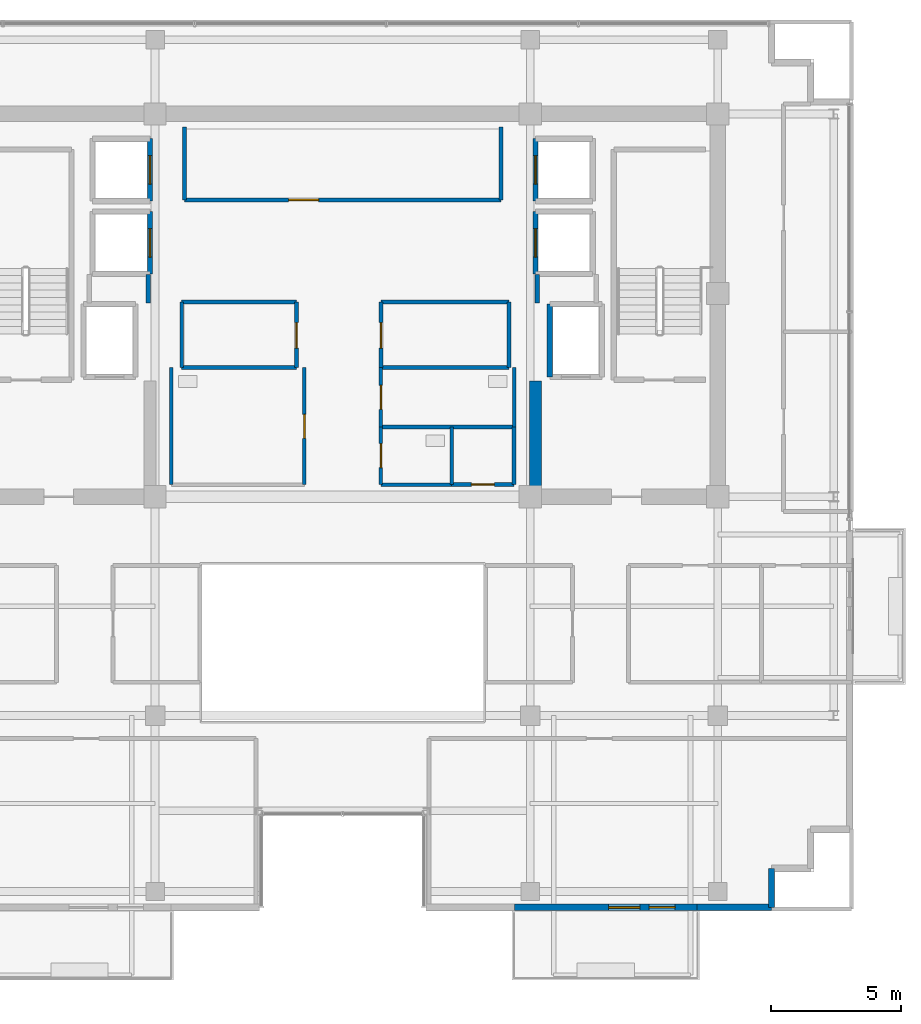
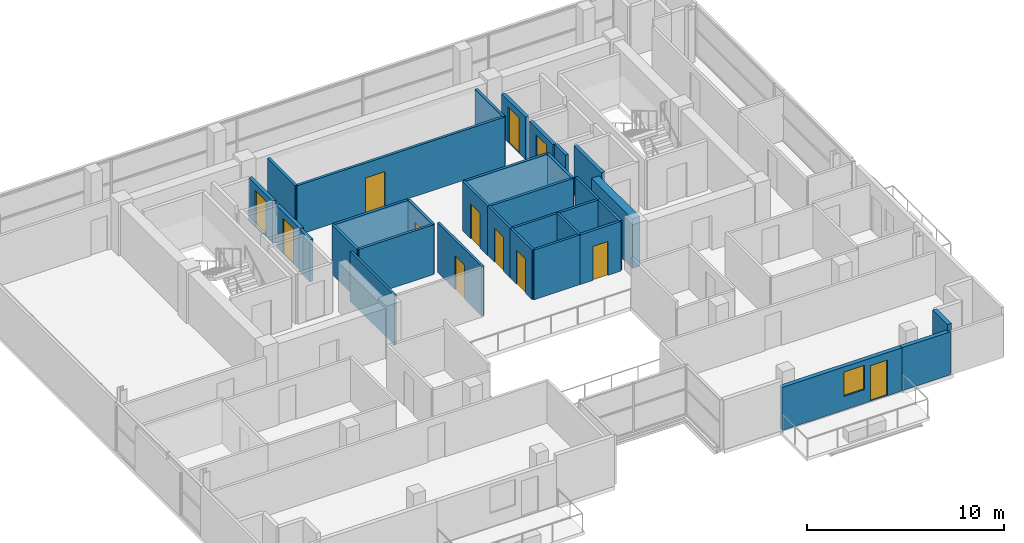
# One storey, part 17 of 23: 32 walls, 12 doors, 1 window, 13 openings.
"""IFC4 building model written with IfcOpenShell, lengths in metres."""

from ifc_helpers import new_model, si_unit, direction, frame, frame_2d, origin, place, context, subcontext, project, spatial, rectangle, extrude, source, transform, mapped, material, layer, layer_set, type_object, element, fill, save


model = new_model("IFC4")

# Units and contexts
model_context = context("Model", 3, precision=1e-05, world=origin(), true_north=direction((0.0, 1.0)))
body_context = subcontext(model_context, "Body", "Model", "MODEL_VIEW")
ifc_project = project(units=[si_unit("LENGTHUNIT", "METRE"), si_unit("AREAUNIT", "SQUARE_METRE"), si_unit("VOLUMEUNIT", "CUBIC_METRE"), si_unit("PLANEANGLEUNIT", "RADIAN"), si_unit("MASSUNIT", "GRAM", prefix="KILO")], contexts=[model_context])

# Site, building, storey
site_placement = place(None, origin())
site = spatial("IfcSite", under=ifc_project, at=site_placement, CompositionType="ELEMENT")
building_placement = place(site_placement, origin())
building = spatial("IfcBuilding", under=site, at=building_placement, Name="Zarnakvel Exchange Tower", CompositionType="ELEMENT")
storey_placement = place(building_placement, frame((0.0, 0.0, 212.199951171875)))
storey = spatial("IfcBuildingStorey", under=building, at=storey_placement, Name="L59", CompositionType="ELEMENT", Elevation=212.199951171875)

# Wall
ifc_material_1 = material(Name="Concrete C50/60", Category="concrete")
ifc_layer_1 = layer(ifc_material_1, 0.449951171875)
ifc_layer_set_1 = layer_set([ifc_layer_1], Name="Concrete C50/60")
wall_type_1 = type_object("IfcWallType", Name="CW-C6", PredefinedType="SHEAR", material=ifc_layer_set_1)
wall_1_placement = place(storey_placement, frame((7.39990234375, -0.89990234375, 0.0), z_axis=(0.0, 0.0, 1.0), x_axis=(0.0, 1.0, 0.0)))
element("IfcWall", 1, at=wall_1_placement, inside=storey, type_object=wall_type_1, Name="L59 Rear Core Shear Wall IE (CW-C6)", PredefinedType="SHEAR", context=body_context, shape_type="SweptSolid", body=[
    extrude(rectangle(XDim=4.14990234375, YDim=0.449951171875, at=frame_2d((2.074951171875, 0.0))), origin(), (0.0, 0.0, 1.0), 3.074951171875),
])

# Wall, openings, door, window
ifc_material_2 = material(Name="Precast concrete C40/50", Category="concrete")
ifc_layer_2 = layer(ifc_material_2, 0.239990234375)
ifc_layer_set_2 = layer_set([ifc_layer_2], Name="Precast concrete C40/50")
wall_type_2 = type_object("IfcWallType", Name="EW-02", PredefinedType="SOLIDWALL", material=ifc_layer_set_2)
wall_2_placement = place(storey_placement, frame((13.60009765625, -16.9599609375, 0.0), z_axis=(0.0, 0.0, 1.0), x_axis=(-1.0, 0.0, 0.0)))
wall_2 = element("IfcWall", 2, at=wall_2_placement, inside=storey, type_object=wall_type_2, Name="L59 Exterior Precast Spandrel Wall EW-BAL-L59-SE (EW-02)", PredefinedType="SOLIDWALL", context=body_context, shape_type="SweptSolid", body=[
    extrude(rectangle(XDim=7.0, YDim=0.239990234375, at=frame_2d((3.5, 0.0))), origin(), (0.0, 0.0, 1.0), 2.6650390625),
])
opening_1_placement = place(wall_2_placement, frame((0.840087890625, 0.0, 0.0)))
opening_1 = element("IfcOpeningElement", 3, at=opening_1_placement, cuts=wall_2, Name="Opening BD-L59-02", PredefinedType="OPENING", context=body_context, shape_type="SweptSolid", body=[
    extrude(rectangle(XDim=1.0, YDim=2.199951171875, at=frame_2d((0.5, 1.10009765625))), frame((0.0, 0.1298828125, 0.0), z_axis=(0.0, -1.0, 0.0), x_axis=(1.0, 0.0, 0.0)), (0.0, 0.0, 1.0), 0.260009765625),
])
opening_2_placement = place(wall_2_placement, frame((2.18994140625, 0.0, 0.85009765625)))
opening_2 = element("IfcOpeningElement", 4, at=opening_2_placement, cuts=wall_2, Name="Opening WN-04", PredefinedType="OPENING", context=body_context, shape_type="SweptSolid", body=[
    extrude(rectangle(XDim=1.199951171875, YDim=1.5, at=frame_2d((0.60009765625, 0.75))), frame((0.0, 0.1298828125, 0.0), z_axis=(0.0, -1.0, 0.0), x_axis=(1.0, 0.0, 0.0)), (0.0, 0.0, 1.0), 0.260009765625),
])
ifc_material_3 = material(Name="Architectural Bronze Anodised Aluminium", Category="aluminium")
door_type_1 = type_object("IfcDoorType", Name="DT-09", OperationType="NOTDEFINED", PredefinedType="DOOR", material=ifc_material_3)
shared_shape_1 = source(origin(), body_context, "Body", "SweptSolid", [
    extrude(rectangle(XDim=1.0, YDim=2.199951171875, at=frame_2d((0.5, 1.10009765625))), frame((0.0, 0.02490234375, 0.0), z_axis=(0.0, -1.0, 0.0), x_axis=(1.0, 0.0, 0.0)), (0.0, 0.0, 1.0), 0.050048828125),
])
door_1_placement = place(opening_1_placement, origin())
door_1 = element("IfcDoor", 5, at=door_1_placement, inside=storey, type_object=door_type_1, Name="L59 Planted Loggia Balcony Door BD-L59-02", OperationType="SINGLE_SWING_RIGHT", OverallHeight=2.199951171875, OverallWidth=1.0, PredefinedType="DOOR", context=body_context, shape_type="MappedRepresentation", body=[
    mapped(shared_shape_1, transform((0.0, 0.0, 0.0), x_axis=(1.0, 0.0, 0.0), y_axis=(0.0, 1.0, 0.0), z_axis=(0.0, 0.0, 1.0), scale=1.0)),
])
fill(opening_1, door_1)
ifc_material_4 = material(Name="Double Low-E Laminated Vision Glass", Category="glass")
window_type = type_object("IfcWindowType", Name="WN-04", PartitioningType="SINGLE_PANEL", PredefinedType="WINDOW", material=ifc_material_4)
shared_shape_2 = source(origin(), body_context, "Body", "SweptSolid", [
    extrude(rectangle(XDim=1.199951171875, YDim=1.5, at=frame_2d((0.60009765625, 0.75))), frame((0.0, 0.030029296875, 0.0), z_axis=(0.0, -1.0, 0.0), x_axis=(1.0, 0.0, 0.0)), (0.0, 0.0, 1.0), 0.06005859375),
])
window_placement = place(opening_2_placement, origin())
window = element("IfcWindow", 6, at=window_placement, inside=storey, type_object=window_type, Name="L59 Loggia Daylight Window (WN-04)", OverallHeight=1.5, OverallWidth=1.199951171875, PartitioningType="SINGLE_PANEL", PredefinedType="WINDOW", context=body_context, shape_type="MappedRepresentation", body=[
    mapped(shared_shape_2, transform((0.0, 0.0, 0.0), x_axis=(1.0, 0.0, 0.0), y_axis=(0.0, 1.0, 0.0), z_axis=(0.0, 0.0, 1.0), scale=1.0)),
])
fill(opening_2, window)

# Walls
wall_3_placement = place(storey_placement, frame((16.4599609375, -16.9599609375, 0.0), z_axis=(0.0, 0.0, 1.0), x_axis=(0.0, 1.0, 0.0)))
element("IfcWall", 7, at=wall_3_placement, inside=storey, type_object=wall_type_2, Name="L59 Exterior Precast Spandrel Wall EWC-L59-14 (EW-02)", PredefinedType="SOLIDWALL", context=body_context, shape_type="SweptSolid", body=[
    extrude(rectangle(XDim=1.5, YDim=0.239990234375, at=frame_2d((0.75, 0.0))), origin(), (0.0, 0.0, 1.0), 3.074951171875),
])
wall_4_placement = place(storey_placement, frame((13.60009765625, -16.9599609375, 0.0), z_axis=(0.0, 0.0, 1.0), x_axis=(1.0, 0.0, 0.0)))
element("IfcWall", 8, at=wall_4_placement, inside=storey, type_object=wall_type_2, Name="L59 Exterior Precast Spandrel Wall EWC-L59-15 (EW-02)", PredefinedType="SOLIDWALL", context=body_context, shape_type="SweptSolid", body=[
    extrude(rectangle(XDim=2.85986328125, YDim=0.239990234375, at=frame_2d((1.429931640625, 0.0))), origin(), (0.0, 0.0, 1.0), 2.6650390625),
])

# Wall, opening, door
ifc_material_5 = material(Name="Fire-Rated Gypsum Stud Partition", Category="gypsum")
ifc_layer_3 = layer(ifc_material_5, 0.14990234375)
ifc_layer_set_3 = layer_set([ifc_layer_3], Name="Fire-Rated Gypsum Stud Partition")
wall_type_3 = type_object("IfcWallType", Name="PT-01", PredefinedType="PARTITIONING", material=ifc_layer_set_3)
wall_5_placement = place(storey_placement, frame((6.080078125, 10.199951171875, 0.0), z_axis=(0.0, 0.0, 1.0), x_axis=(-1.0, 0.0, 0.0)))
wall_5 = element("IfcWall", 9, at=wall_5_placement, inside=storey, type_object=wall_type_3, Name="L59 Partition Wall PWALL-L59-011 (PT-01)", PredefinedType="PARTITIONING", context=body_context, shape_type="SweptSolid", body=[
    extrude(rectangle(XDim=12.16015625, YDim=0.14990234375, at=frame_2d((6.080078125, 0.0))), origin(), (0.0, 0.0, 1.0), 3.074951171875),
])
opening_3_placement = place(wall_5_placement, frame((7.0048828125, 0.0, 0.0)))
opening_3 = element("IfcOpeningElement", 10, at=opening_3_placement, cuts=wall_5, Name="Opening D-L59-05", PredefinedType="OPENING", context=body_context, shape_type="SweptSolid", body=[
    extrude(rectangle(XDim=1.14990234375, YDim=2.14990234375, at=frame_2d((0.574951171875, 1.074951171875))), frame((0.0, 0.0849609375, 0.0), z_axis=(0.0, -1.0, 0.0), x_axis=(1.0, 0.0, 0.0)), (0.0, 0.0, 1.0), 0.169921875),
])
ifc_material_6 = material(Name="Painted Galvanised Steel S355", Category="steel")
door_type_2 = type_object("IfcDoorType", Name="DT-04", OperationType="NOTDEFINED", PredefinedType="DOOR", material=ifc_material_6)
shared_shape_3 = source(origin(), body_context, "Body", "SweptSolid", [
    extrude(rectangle(XDim=1.14990234375, YDim=2.14990234375, at=frame_2d((0.574951171875, 1.074951171875))), frame((0.0, 0.02490234375, 0.0), z_axis=(0.0, -1.0, 0.0), x_axis=(1.0, 0.0, 0.0)), (0.0, 0.0, 1.0), 0.050048828125),
])
door_2_placement = place(opening_3_placement, origin())
door_2 = element("IfcDoor", 11, at=door_2_placement, inside=storey, type_object=door_type_2, Name="L59 Market Data Archive Suite Door D-L59-05", OperationType="SINGLE_SWING_RIGHT", OverallHeight=2.14990234375, OverallWidth=1.14990234375, PredefinedType="DOOR", context=body_context, shape_type="MappedRepresentation", body=[
    mapped(shared_shape_3, transform((0.0, 0.0, 0.0), x_axis=(1.0, 0.0, 0.0), y_axis=(0.0, 1.0, 0.0), z_axis=(0.0, 0.0, 1.0), scale=1.0)),
])
fill(opening_3, door_2)

# Walls
for number, where, z_axis, x_axis, name in (
    (12, (-6.080078125, 10.199951171875, 0.0), (0.0, 0.0, 1.0), (0.0, 1.0, 0.0), "L59 Partition Wall PWALL-L59-012 (PT-01)"),
    (13, (6.080078125, 13.0, 0.0), (0.0, 0.0, 1.0), (0.0, -1.0, 0.0), "L59 Partition Wall PWALL-L59-013 (PT-01)"),
):
    element("IfcWall", number, at=place(storey_placement, frame(where, z_axis=z_axis, x_axis=x_axis)), inside=storey, type_object=wall_type_3, Name=name, PredefinedType="PARTITIONING", context=body_context, shape_type="SweptSolid", body=[
        extrude(rectangle(XDim=2.800048828125, YDim=0.14990234375, at=frame_2d((1.39990234375, 0.0))), origin(), (0.0, 0.0, 1.0), 3.074951171875),
    ])
for number, where, z_axis, x_axis, name in (
    (14, (-1.77001953125, 3.760009765625, 0.0), (0.0, 0.0, 1.0), (-1.0, 0.0, 0.0), "L59 Partition Wall PWALL-L59-014 (PT-01)"),
    (15, (-6.179931640625, 6.280029296875, 0.0), (0.0, 0.0, 1.0), (1.0, 0.0, 0.0), "L59 Partition Wall PWALL-L59-015 (PT-01)"),
):
    element("IfcWall", number, at=place(storey_placement, frame(where, z_axis=z_axis, x_axis=x_axis)), inside=storey, type_object=wall_type_3, Name=name, PredefinedType="PARTITIONING", context=body_context, shape_type="SweptSolid", body=[
        extrude(rectangle(XDim=4.409912109375, YDim=0.14990234375, at=frame_2d((2.205078125, 0.0))), origin(), (0.0, 0.0, 1.0), 3.074951171875),
    ])
wall_6_placement = place(storey_placement, frame((-6.179931640625, 3.760009765625, 0.0), z_axis=(0.0, 0.0, 1.0), x_axis=(0.0, 1.0, 0.0)))
element("IfcWall", 16, at=wall_6_placement, inside=storey, type_object=wall_type_3, Name="L59 Partition Wall PWALL-L59-016 (PT-01)", PredefinedType="PARTITIONING", context=body_context, shape_type="SweptSolid", body=[
    extrude(rectangle(XDim=2.52001953125, YDim=0.14990234375, at=frame_2d((1.260009765625, 0.0))), origin(), (0.0, 0.0, 1.0), 3.074951171875),
])

# Wall, opening, door
wall_7_placement = place(storey_placement, frame((-1.77001953125, 6.280029296875, 0.0), z_axis=(0.0, 0.0, 1.0), x_axis=(0.0, -1.0, 0.0)))
wall_7 = element("IfcWall", 17, at=wall_7_placement, inside=storey, type_object=wall_type_3, Name="L59 Partition Wall PWALL-L59-017 (PT-01)", PredefinedType="PARTITIONING", context=body_context, shape_type="SweptSolid", body=[
    extrude(rectangle(XDim=2.52001953125, YDim=0.14990234375, at=frame_2d((1.260009765625, 0.0))), origin(), (0.0, 0.0, 1.0), 3.074951171875),
])
opening_4_placement = place(wall_7_placement, frame((0.7900390625, 0.0, 0.0)))
opening_4 = element("IfcOpeningElement", 18, at=opening_4_placement, cuts=wall_7, Name="Opening D-L59-06", PredefinedType="OPENING", context=body_context, shape_type="SweptSolid", body=[
    extrude(rectangle(XDim=0.97998046875, YDim=2.14990234375, at=frame_2d((0.489990234375, 1.074951171875))), frame((0.0, 0.0849609375, 0.0), z_axis=(0.0, -1.0, 0.0), x_axis=(1.0, 0.0, 0.0)), (0.0, 0.0, 1.0), 0.169921875),
])
ifc_material_7 = material(Name="Timber Acoustic Veneer", Category="wood")
door_type_3 = type_object("IfcDoorType", Name="DT-05", OperationType="NOTDEFINED", PredefinedType="DOOR", material=ifc_material_7)
shared_shape_4 = source(origin(), body_context, "Body", "SweptSolid", [
    extrude(rectangle(XDim=0.97998046875, YDim=2.14990234375, at=frame_2d((0.489990234375, 1.074951171875))), frame((0.0, 0.02490234375, 0.0), z_axis=(0.0, -1.0, 0.0), x_axis=(1.0, 0.0, 0.0)), (0.0, 0.0, 1.0), 0.050048828125),
])
door_3_placement = place(opening_4_placement, origin())
door_3 = element("IfcDoor", 19, at=door_3_placement, inside=storey, type_object=door_type_3, Name="L59 Sovereign Compliance Office Door D-L59-06", OperationType="SINGLE_SWING_LEFT", OverallHeight=2.14990234375, OverallWidth=0.97998046875, PredefinedType="DOOR", context=body_context, shape_type="MappedRepresentation", body=[
    mapped(shared_shape_4, transform((0.0, 0.0, 0.0), x_axis=(1.0, 0.0, 0.0), y_axis=(0.0, 1.0, 0.0), z_axis=(0.0, 0.0, 1.0), scale=1.0)),
])
fill(opening_4, door_3)

# Walls
for number, where, z_axis, x_axis, name in (
    (20, (6.3798828125, 3.760009765625, 0.0), (0.0, 0.0, 1.0), (-1.0, 0.0, 0.0), "L59 Partition Wall PWALL-L59-018 (PT-01)"),
    (21, (1.469970703125, 6.280029296875, 0.0), (0.0, 0.0, 1.0), (1.0, 0.0, 0.0), "L59 Partition Wall PWALL-L59-019 (PT-01)"),
):
    element("IfcWall", number, at=place(storey_placement, frame(where, z_axis=z_axis, x_axis=x_axis)), inside=storey, type_object=wall_type_3, Name=name, PredefinedType="PARTITIONING", context=body_context, shape_type="SweptSolid", body=[
        extrude(rectangle(XDim=4.909912109375, YDim=0.14990234375, at=frame_2d((2.455078125, 0.0))), origin(), (0.0, 0.0, 1.0), 3.074951171875),
    ])

# Wall, opening, door
wall_8_placement = place(storey_placement, frame((1.469970703125, 3.760009765625, 0.0), z_axis=(0.0, 0.0, 1.0), x_axis=(0.0, 1.0, 0.0)))
wall_8 = element("IfcWall", 22, at=wall_8_placement, inside=storey, type_object=wall_type_3, Name="L59 Partition Wall PWALL-L59-020 (PT-01)", PredefinedType="PARTITIONING", context=body_context, shape_type="SweptSolid", body=[
    extrude(rectangle(XDim=2.52001953125, YDim=0.14990234375, at=frame_2d((1.260009765625, 0.0))), origin(), (0.0, 0.0, 1.0), 3.074951171875),
])
opening_5_placement = place(wall_8_placement, frame((0.75, 0.0, 0.0)))
opening_5 = element("IfcOpeningElement", 23, at=opening_5_placement, cuts=wall_8, Name="Opening D-L59-07", PredefinedType="OPENING", context=body_context, shape_type="SweptSolid", body=[
    extrude(rectangle(XDim=0.97998046875, YDim=2.14990234375, at=frame_2d((0.489990234375, 1.074951171875))), frame((0.0, 0.0849609375, 0.0), z_axis=(0.0, -1.0, 0.0), x_axis=(1.0, 0.0, 0.0)), (0.0, 0.0, 1.0), 0.169921875),
])
door_4_placement = place(opening_5_placement, origin())
door_4 = element("IfcDoor", 24, at=door_4_placement, inside=storey, type_object=door_type_3, Name="L59 Depository Legal Office Door D-L59-07", OperationType="SINGLE_SWING_RIGHT", OverallHeight=2.14990234375, OverallWidth=0.97998046875, PredefinedType="DOOR", context=body_context, shape_type="MappedRepresentation", body=[
    mapped(shared_shape_4, transform((0.0, 0.0, 0.0), x_axis=(1.0, 0.0, 0.0), y_axis=(0.0, 1.0, 0.0), z_axis=(0.0, 0.0, 1.0), scale=1.0)),
])
fill(opening_5, door_4)

# Wall
wall_9_placement = place(storey_placement, frame((6.3798828125, 6.280029296875, 0.0), z_axis=(0.0, 0.0, 1.0), x_axis=(0.0, -1.0, 0.0)))
element("IfcWall", 25, at=wall_9_placement, inside=storey, type_object=wall_type_3, Name="L59 Partition Wall PWALL-L59-021 (PT-01)", PredefinedType="PARTITIONING", context=body_context, shape_type="SweptSolid", body=[
    extrude(rectangle(XDim=2.52001953125, YDim=0.14990234375, at=frame_2d((1.260009765625, 0.0))), origin(), (0.0, 0.0, 1.0), 3.074951171875),
])

# Wall, opening, door
wall_10_placement = place(storey_placement, frame((6.580078125, -0.72998046875, 0.0), z_axis=(0.0, 0.0, 1.0), x_axis=(-1.0, 0.0, 0.0)))
wall_10 = element("IfcWall", 26, at=wall_10_placement, inside=storey, type_object=wall_type_3, Name="L59 Partition Wall PWALL-L59-031 (PT-01)", PredefinedType="PARTITIONING", context=body_context, shape_type="SweptSolid", body=[
    extrude(rectangle(XDim=2.400146484375, YDim=0.14990234375, at=frame_2d((1.2001953125, 0.0))), origin(), (0.0, 0.0, 1.0), 3.074951171875),
])
opening_6_placement = place(wall_10_placement, frame((0.760009765625, 0.0, 0.0)))
opening_6 = element("IfcOpeningElement", 27, at=opening_6_placement, cuts=wall_10, Name="Opening D-L59-11", PredefinedType="OPENING", context=body_context, shape_type="SweptSolid", body=[
    extrude(rectangle(XDim=0.8798828125, YDim=2.10009765625, at=frame_2d((0.43994140625, 1.050048828125))), frame((0.0, 0.0849609375, 0.0), z_axis=(0.0, -1.0, 0.0), x_axis=(1.0, 0.0, 0.0)), (0.0, 0.0, 1.0), 0.169921875),
])
door_type_4 = type_object("IfcDoorType", Name="DT-08", OperationType="NOTDEFINED", PredefinedType="DOOR", material=ifc_material_6)
shared_shape_5 = source(origin(), body_context, "Body", "SweptSolid", [
    extrude(rectangle(XDim=0.8798828125, YDim=2.10009765625, at=frame_2d((0.43994140625, 1.050048828125))), frame((0.0, 0.02490234375, 0.0), z_axis=(0.0, -1.0, 0.0), x_axis=(1.0, 0.0, 0.0)), (0.0, 0.0, 1.0), 0.050048828125),
])
door_5_placement = place(opening_6_placement, origin())
door_5 = element("IfcDoor", 28, at=door_5_placement, inside=storey, type_object=door_type_4, Name="L59 Cleaners Store Door D-L59-11", OperationType="SINGLE_SWING_RIGHT", OverallHeight=2.10009765625, OverallWidth=0.8798828125, PredefinedType="DOOR", context=body_context, shape_type="MappedRepresentation", body=[
    mapped(shared_shape_5, transform((0.0, 0.0, 0.0), x_axis=(1.0, 0.0, 0.0), y_axis=(0.0, 1.0, 0.0), z_axis=(0.0, 0.0, 1.0), scale=1.0)),
])
fill(opening_6, door_5)

# Walls
wall_11_placement = place(storey_placement, frame((6.580078125, 1.47998046875, 0.0), z_axis=(0.0, 0.0, 1.0), x_axis=(0.0, -1.0, 0.0)))
element("IfcWall", 29, at=wall_11_placement, inside=storey, type_object=wall_type_3, Name="L59 Partition Wall PWALL-L59-032 (PT-01)", PredefinedType="PARTITIONING", context=body_context, shape_type="SweptSolid", body=[
    extrude(rectangle(XDim=2.2099609375, YDim=0.14990234375, at=frame_2d((1.10498046875, 0.0))), origin(), (0.0, 0.0, 1.0), 3.074951171875),
])
ifc_layer_4 = layer(ifc_material_5, 0.179931640625)
ifc_layer_set_4 = layer_set([ifc_layer_4], Name="Fire-Rated Gypsum Stud Partition")
wall_type_4 = type_object("IfcWallType", Name="PT-02", PredefinedType="PARTITIONING", material=ifc_layer_set_4)
for number, where, z_axis, x_axis, name in (
    (30, (-7.469970703125, 7.330078125, 0.0), (0.0, 0.0, 1.0), (0.0, -1.0, 0.0), "L59 Partition Wall PWALL-L59-008 (PT-02)"),
    (31, (7.469970703125, 6.239990234375, 0.0), (0.0, 0.0, 1.0), (0.0, 1.0, 0.0), "L59 Partition Wall PWALL-L59-009 (PT-02)"),
):
    element("IfcWall", number, at=place(storey_placement, frame(where, z_axis=z_axis, x_axis=x_axis)), inside=storey, type_object=wall_type_4, Name=name, PredefinedType="PARTITIONING", context=body_context, shape_type="SweptSolid", body=[
        extrude(rectangle(XDim=1.090087890625, YDim=0.179931640625, at=frame_2d((0.544921875, 0.0))), origin(), (0.0, 0.0, 1.0), 2.614990234375),
    ])
ifc_material_8 = material(Name="Moisture-Resistant Tile-Faced Partition", Category="gypsum")
ifc_layer_5 = layer(ifc_material_8, 0.135009765625)
ifc_layer_set_5 = layer_set([ifc_layer_5], Name="Moisture-Resistant Tile-Faced Partition")
wall_type_5 = type_object("IfcWallType", Name="PT-03", PredefinedType="PARTITIONING", material=ifc_layer_set_5)
wall_12_placement = place(storey_placement, frame((-6.580078125, -0.72998046875, 0.0), z_axis=(0.0, 0.0, 1.0), x_axis=(0.0, 1.0, 0.0)))
element("IfcWall", 32, at=wall_12_placement, inside=storey, type_object=wall_type_5, Name="L59 Partition Wall PWALL-L59-023 (PT-03)", PredefinedType="PARTITIONING", context=body_context, shape_type="SweptSolid", body=[
    extrude(rectangle(XDim=4.489990234375, YDim=0.135009765625, at=frame_2d((2.2451171875, 0.0))), origin(), (0.0, 0.0, 1.0), 3.074951171875),
])

# Wall, opening, door
wall_13_placement = place(storey_placement, frame((-1.469970703125, 3.760009765625, 0.0), z_axis=(0.0, 0.0, 1.0), x_axis=(0.0, -1.0, 0.0)))
wall_13 = element("IfcWall", 33, at=wall_13_placement, inside=storey, type_object=wall_type_5, Name="L59 Partition Wall PWALL-L59-024 (PT-03)", PredefinedType="PARTITIONING", context=body_context, shape_type="SweptSolid", body=[
    extrude(rectangle(XDim=4.489990234375, YDim=0.135009765625, at=frame_2d((2.2451171875, 0.0))), origin(), (0.0, 0.0, 1.0), 3.074951171875),
])
opening_7_placement = place(wall_13_placement, frame((1.800048828125, 0.0, 0.0)))
opening_7 = element("IfcOpeningElement", 34, at=opening_7_placement, cuts=wall_13, Name="Opening D-L59-08", PredefinedType="OPENING", context=body_context, shape_type="SweptSolid", body=[
    extrude(rectangle(XDim=0.919921875, YDim=2.10009765625, at=frame_2d((0.4599609375, 1.050048828125))), frame((0.0, 0.077392578125, 0.0), z_axis=(0.0, -1.0, 0.0), x_axis=(1.0, 0.0, 0.0)), (0.0, 0.0, 1.0), 0.155029296875),
])
ifc_material_9 = material(Name="Moisture-Resistant Laminate Timber", Category="wood")
door_type_5 = type_object("IfcDoorType", Name="DT-07", OperationType="NOTDEFINED", PredefinedType="DOOR", material=ifc_material_9)
shared_shape_6 = source(origin(), body_context, "Body", "SweptSolid", [
    extrude(rectangle(XDim=0.919921875, YDim=2.10009765625, at=frame_2d((0.4599609375, 1.050048828125))), frame((0.0, 0.02490234375, 0.0), z_axis=(0.0, -1.0, 0.0), x_axis=(1.0, 0.0, 0.0)), (0.0, 0.0, 1.0), 0.050048828125),
])
door_6_placement = place(opening_7_placement, origin())
door_6 = element("IfcDoor", 35, at=door_6_placement, inside=storey, type_object=door_type_5, Name="L59 Male Toilet Door D-L59-08", OperationType="SINGLE_SWING_LEFT", OverallHeight=2.10009765625, OverallWidth=0.919921875, PredefinedType="DOOR", context=body_context, shape_type="MappedRepresentation", body=[
    mapped(shared_shape_6, transform((0.0, 0.0, 0.0), x_axis=(1.0, 0.0, 0.0), y_axis=(0.0, 1.0, 0.0), z_axis=(0.0, 0.0, 1.0), scale=1.0)),
])
fill(opening_7, door_6)

# Wall
wall_14_placement = place(storey_placement, frame((6.580078125, 1.47998046875, 0.0), z_axis=(0.0, 0.0, 1.0), x_axis=(-1.0, 0.0, 0.0)))
element("IfcWall", 36, at=wall_14_placement, inside=storey, type_object=wall_type_5, Name="L59 Partition Wall PWALL-L59-025 (PT-03)", PredefinedType="PARTITIONING", context=body_context, shape_type="SweptSolid", body=[
    extrude(rectangle(XDim=5.110107421875, YDim=0.135009765625, at=frame_2d((2.55517578125, 0.0))), origin(), (0.0, 0.0, 1.0), 3.074951171875),
])

# Wall, opening, door
wall_15_placement = place(storey_placement, frame((1.469970703125, 1.47998046875, 0.0), z_axis=(0.0, 0.0, 1.0), x_axis=(0.0, 1.0, 0.0)))
wall_15 = element("IfcWall", 37, at=wall_15_placement, inside=storey, type_object=wall_type_5, Name="L59 Partition Wall PWALL-L59-026 (PT-03)", PredefinedType="PARTITIONING", context=body_context, shape_type="SweptSolid", body=[
    extrude(rectangle(XDim=2.280029296875, YDim=0.135009765625, at=frame_2d((1.14013671875, 0.0))), origin(), (0.0, 0.0, 1.0), 3.074951171875),
])
opening_8_placement = place(wall_15_placement, frame((0.679931640625, 0.0, 0.0)))
opening_8 = element("IfcOpeningElement", 38, at=opening_8_placement, cuts=wall_15, Name="Opening D-L59-09", PredefinedType="OPENING", context=body_context, shape_type="SweptSolid", body=[
    extrude(rectangle(XDim=0.919921875, YDim=2.10009765625, at=frame_2d((0.4599609375, 1.050048828125))), frame((0.0, 0.077392578125, 0.0), z_axis=(0.0, -1.0, 0.0), x_axis=(1.0, 0.0, 0.0)), (0.0, 0.0, 1.0), 0.155029296875),
])
door_7_placement = place(opening_8_placement, origin())
door_7 = element("IfcDoor", 39, at=door_7_placement, inside=storey, type_object=door_type_5, Name="L59 Female Toilet Door D-L59-09", OperationType="SINGLE_SWING_RIGHT", OverallHeight=2.10009765625, OverallWidth=0.919921875, PredefinedType="DOOR", context=body_context, shape_type="MappedRepresentation", body=[
    mapped(shared_shape_6, transform((0.0, 0.0, 0.0), x_axis=(1.0, 0.0, 0.0), y_axis=(0.0, 1.0, 0.0), z_axis=(0.0, 0.0, 1.0), scale=1.0)),
])
fill(opening_8, door_7)

# Walls
wall_16_placement = place(storey_placement, frame((6.580078125, 3.760009765625, 0.0), z_axis=(0.0, 0.0, 1.0), x_axis=(0.0, -1.0, 0.0)))
element("IfcWall", 40, at=wall_16_placement, inside=storey, type_object=wall_type_5, Name="L59 Partition Wall PWALL-L59-027 (PT-03)", PredefinedType="PARTITIONING", context=body_context, shape_type="SweptSolid", body=[
    extrude(rectangle(XDim=2.280029296875, YDim=0.135009765625, at=frame_2d((1.14013671875, 0.0))), origin(), (0.0, 0.0, 1.0), 3.074951171875),
])
wall_17_placement = place(storey_placement, frame((4.179931640625, -0.72998046875, 0.0), z_axis=(0.0, 0.0, 1.0), x_axis=(-1.0, 0.0, 0.0)))
element("IfcWall", 41, at=wall_17_placement, inside=storey, type_object=wall_type_5, Name="L59 Partition Wall PWALL-L59-028 (PT-03)", PredefinedType="PARTITIONING", context=body_context, shape_type="SweptSolid", body=[
    extrude(rectangle(XDim=2.7099609375, YDim=0.135009765625, at=frame_2d((1.35498046875, 0.0))), origin(), (0.0, 0.0, 1.0), 3.074951171875),
])

# Wall, opening, door
wall_18_placement = place(storey_placement, frame((1.469970703125, -0.72998046875, 0.0), z_axis=(0.0, 0.0, 1.0), x_axis=(0.0, 1.0, 0.0)))
wall_18 = element("IfcWall", 42, at=wall_18_placement, inside=storey, type_object=wall_type_5, Name="L59 Partition Wall PWALL-L59-029 (PT-03)", PredefinedType="PARTITIONING", context=body_context, shape_type="SweptSolid", body=[
    extrude(rectangle(XDim=2.2099609375, YDim=0.135009765625, at=frame_2d((1.10498046875, 0.0))), origin(), (0.0, 0.0, 1.0), 3.074951171875),
])
opening_9_placement = place(wall_18_placement, frame((0.64990234375, 0.0, 0.0)))
opening_9 = element("IfcOpeningElement", 43, at=opening_9_placement, cuts=wall_18, Name="Opening D-L59-10", PredefinedType="OPENING", context=body_context, shape_type="SweptSolid", body=[
    extrude(rectangle(XDim=0.919921875, YDim=2.10009765625, at=frame_2d((0.4599609375, 1.050048828125))), frame((0.0, 0.077392578125, 0.0), z_axis=(0.0, -1.0, 0.0), x_axis=(1.0, 0.0, 0.0)), (0.0, 0.0, 1.0), 0.155029296875),
])
door_8_placement = place(opening_9_placement, origin())
door_8 = element("IfcDoor", 44, at=door_8_placement, inside=storey, type_object=door_type_5, Name="L59 Accessible Toilet Door D-L59-10", OperationType="SINGLE_SWING_LEFT", OverallHeight=2.10009765625, OverallWidth=0.919921875, PredefinedType="DOOR", context=body_context, shape_type="MappedRepresentation", body=[
    mapped(shared_shape_6, transform((0.0, 0.0, 0.0), x_axis=(1.0, 0.0, 0.0), y_axis=(0.0, 1.0, 0.0), z_axis=(0.0, 0.0, 1.0), scale=1.0)),
])
fill(opening_9, door_8)

# Walls
wall_19_placement = place(storey_placement, frame((4.179931640625, 1.47998046875, 0.0), z_axis=(0.0, 0.0, 1.0), x_axis=(0.0, -1.0, 0.0)))
element("IfcWall", 45, at=wall_19_placement, inside=storey, type_object=wall_type_5, Name="L59 Partition Wall PWALL-L59-030 (PT-03)", PredefinedType="PARTITIONING", context=body_context, shape_type="SweptSolid", body=[
    extrude(rectangle(XDim=2.2099609375, YDim=0.135009765625, at=frame_2d((1.10498046875, 0.0))), origin(), (0.0, 0.0, 1.0), 3.074951171875),
])
ifc_material_10 = material(Name="Concrete C40/50", Category="concrete")
ifc_layer_6 = layer(ifc_material_10, 0.199951171875)
ifc_layer_set_6 = layer_set([ifc_layer_6], Name="Concrete C40/50")
wall_type_6 = type_object("IfcWallType", Name="SW-01", PredefinedType="SOLIDWALL", material=ifc_layer_set_6)
wall_20_placement = place(storey_placement, frame((7.949951171875, 3.39990234375, 0.0), z_axis=(0.0, 0.0, 1.0), x_axis=(0.0, 1.0, 0.0)))
element("IfcWall", 46, at=wall_20_placement, inside=storey, type_object=wall_type_6, Name="L59 FL-02 Hoistway Wall West", PredefinedType="SOLIDWALL", context=body_context, shape_type="SweptSolid", body=[
    extrude(rectangle(XDim=2.800048828125, YDim=0.199951171875, at=frame_2d((1.39990234375, 0.0))), origin(), (0.0, 0.0, 1.0), 3.074951171875),
])

# Wall, opening, door
wall_21_placement = place(storey_placement, frame((-7.39990234375, 9.75, 0.0), z_axis=(0.0, 0.0, 1.0), x_axis=(0.0, -1.0, 0.0)))
wall_21 = element("IfcWall", 47, at=wall_21_placement, inside=storey, type_object=wall_type_6, Name="L59 PL-09 Hoistway Wall East", PredefinedType="SOLIDWALL", context=body_context, shape_type="SweptSolid", body=[
    extrude(rectangle(XDim=2.39990234375, YDim=0.199951171875, at=frame_2d((1.199951171875, 0.0))), origin(), (0.0, 0.0, 1.0), 2.614990234375),
])
opening_10_placement = place(wall_21_placement, frame((0.64990234375, 0.0, 0.0)))
opening_10 = element("IfcOpeningElement", 48, at=opening_10_placement, cuts=wall_21, Name="Opening LD-PL-09-L59", PredefinedType="OPENING", context=body_context, shape_type="SweptSolid", body=[
    extrude(rectangle(XDim=1.10009765625, YDim=2.199951171875, at=frame_2d((0.550048828125, 1.10009765625))), frame((0.0, 0.10986328125, 0.0), z_axis=(0.0, -1.0, 0.0), x_axis=(1.0, 0.0, 0.0)), (0.0, 0.0, 1.0), 0.219970703125),
])
door_type_6 = type_object("IfcDoorType", Name="LDT-02", OperationType="NOTDEFINED", PredefinedType="DOOR", material=ifc_material_3)
shared_shape_7 = source(origin(), body_context, "Body", "SweptSolid", [
    extrude(rectangle(XDim=1.10009765625, YDim=2.199951171875, at=frame_2d((0.550048828125, 1.10009765625))), frame((0.0, 0.02490234375, 0.0), z_axis=(0.0, -1.0, 0.0), x_axis=(1.0, 0.0, 0.0)), (0.0, 0.0, 1.0), 0.050048828125),
])
door_9_placement = place(opening_10_placement, origin())
door_9 = element("IfcDoor", 49, at=door_9_placement, inside=storey, type_object=door_type_6, Name="L59 PL-09 Lift Landing Door LD-PL-09-L59", OperationType="DOUBLE_DOOR_SLIDING", OverallHeight=2.199951171875, OverallWidth=1.10009765625, PredefinedType="DOOR", context=body_context, shape_type="MappedRepresentation", body=[
    mapped(shared_shape_7, transform((0.0, 0.0, 0.0), x_axis=(1.0, 0.0, 0.0), y_axis=(0.0, 1.0, 0.0), z_axis=(0.0, 0.0, 1.0), scale=1.0)),
])
fill(opening_10, door_9)

wall_22_placement = place(storey_placement, frame((-7.39990234375, 12.550048828125, 0.0), z_axis=(0.0, 0.0, 1.0), x_axis=(0.0, -1.0, 0.0)))
wall_22 = element("IfcWall", 50, at=wall_22_placement, inside=storey, type_object=wall_type_6, Name="L59 PL-10 Hoistway Wall East", PredefinedType="SOLIDWALL", context=body_context, shape_type="SweptSolid", body=[
    extrude(rectangle(XDim=2.400146484375, YDim=0.199951171875, at=frame_2d((1.2001953125, 0.0))), origin(), (0.0, 0.0, 1.0), 2.614990234375),
])
opening_11_placement = place(wall_22_placement, frame((0.64990234375, 0.0, 0.0)))
opening_11 = element("IfcOpeningElement", 51, at=opening_11_placement, cuts=wall_22, Name="Opening LD-PL-10-L59", PredefinedType="OPENING", context=body_context, shape_type="SweptSolid", body=[
    extrude(rectangle(XDim=1.10009765625, YDim=2.199951171875, at=frame_2d((0.550048828125, 1.10009765625))), frame((0.0, 0.10986328125, 0.0), z_axis=(0.0, -1.0, 0.0), x_axis=(1.0, 0.0, 0.0)), (0.0, 0.0, 1.0), 0.219970703125),
])
door_10_placement = place(opening_11_placement, origin())
door_10 = element("IfcDoor", 52, at=door_10_placement, inside=storey, type_object=door_type_6, Name="L59 PL-10 Lift Landing Door LD-PL-10-L59", OperationType="DOUBLE_DOOR_SLIDING", OverallHeight=2.199951171875, OverallWidth=1.10009765625, PredefinedType="DOOR", context=body_context, shape_type="MappedRepresentation", body=[
    mapped(shared_shape_7, transform((0.0, 0.0, 0.0), x_axis=(1.0, 0.0, 0.0), y_axis=(0.0, 1.0, 0.0), z_axis=(0.0, 0.0, 1.0), scale=1.0)),
])
fill(opening_11, door_10)

wall_23_placement = place(storey_placement, frame((7.39990234375, 7.35009765625, 0.0), z_axis=(0.0, 0.0, 1.0), x_axis=(0.0, 1.0, 0.0)))
wall_23 = element("IfcWall", 53, at=wall_23_placement, inside=storey, type_object=wall_type_6, Name="L59 PL-11 Hoistway Wall West", PredefinedType="SOLIDWALL", context=body_context, shape_type="SweptSolid", body=[
    extrude(rectangle(XDim=2.39990234375, YDim=0.199951171875, at=frame_2d((1.199951171875, 0.0))), origin(), (0.0, 0.0, 1.0), 2.614990234375),
])
opening_12_placement = place(wall_23_placement, frame((0.64990234375, 0.0, 0.0)))
opening_12 = element("IfcOpeningElement", 54, at=opening_12_placement, cuts=wall_23, Name="Opening LD-PL-11-L59", PredefinedType="OPENING", context=body_context, shape_type="SweptSolid", body=[
    extrude(rectangle(XDim=1.10009765625, YDim=2.199951171875, at=frame_2d((0.550048828125, 1.10009765625))), frame((0.0, 0.10986328125, 0.0), z_axis=(0.0, -1.0, 0.0), x_axis=(1.0, 0.0, 0.0)), (0.0, 0.0, 1.0), 0.219970703125),
])
door_11_placement = place(opening_12_placement, origin())
door_11 = element("IfcDoor", 55, at=door_11_placement, inside=storey, type_object=door_type_6, Name="L59 PL-11 Lift Landing Door LD-PL-11-L59", OperationType="DOUBLE_DOOR_SLIDING", OverallHeight=2.199951171875, OverallWidth=1.10009765625, PredefinedType="DOOR", context=body_context, shape_type="MappedRepresentation", body=[
    mapped(shared_shape_7, transform((0.0, 0.0, 0.0), x_axis=(1.0, 0.0, 0.0), y_axis=(0.0, 1.0, 0.0), z_axis=(0.0, 0.0, 1.0), scale=1.0)),
])
fill(opening_12, door_11)

wall_24_placement = place(storey_placement, frame((7.39990234375, 10.14990234375, 0.0), z_axis=(0.0, 0.0, 1.0), x_axis=(0.0, 1.0, 0.0)))
wall_24 = element("IfcWall", 56, at=wall_24_placement, inside=storey, type_object=wall_type_6, Name="L59 PL-12 Hoistway Wall West", PredefinedType="SOLIDWALL", context=body_context, shape_type="SweptSolid", body=[
    extrude(rectangle(XDim=2.400146484375, YDim=0.199951171875, at=frame_2d((1.2001953125, 0.0))), origin(), (0.0, 0.0, 1.0), 2.614990234375),
])
opening_13_placement = place(wall_24_placement, frame((0.64990234375, 0.0, 0.0)))
opening_13 = element("IfcOpeningElement", 57, at=opening_13_placement, cuts=wall_24, Name="Opening LD-PL-12-L59", PredefinedType="OPENING", context=body_context, shape_type="SweptSolid", body=[
    extrude(rectangle(XDim=1.10009765625, YDim=2.199951171875, at=frame_2d((0.550048828125, 1.10009765625))), frame((0.0, 0.10986328125, 0.0), z_axis=(0.0, -1.0, 0.0), x_axis=(1.0, 0.0, 0.0)), (0.0, 0.0, 1.0), 0.219970703125),
])
door_12_placement = place(opening_13_placement, origin())
door_12 = element("IfcDoor", 58, at=door_12_placement, inside=storey, type_object=door_type_6, Name="L59 PL-12 Lift Landing Door LD-PL-12-L59", OperationType="DOUBLE_DOOR_SLIDING", OverallHeight=2.199951171875, OverallWidth=1.10009765625, PredefinedType="DOOR", context=body_context, shape_type="MappedRepresentation", body=[
    mapped(shared_shape_7, transform((0.0, 0.0, 0.0), x_axis=(1.0, 0.0, 0.0), y_axis=(0.0, 1.0, 0.0), z_axis=(0.0, 0.0, 1.0), scale=1.0)),
])
fill(opening_13, door_12)

save(model, "model.ifc")
